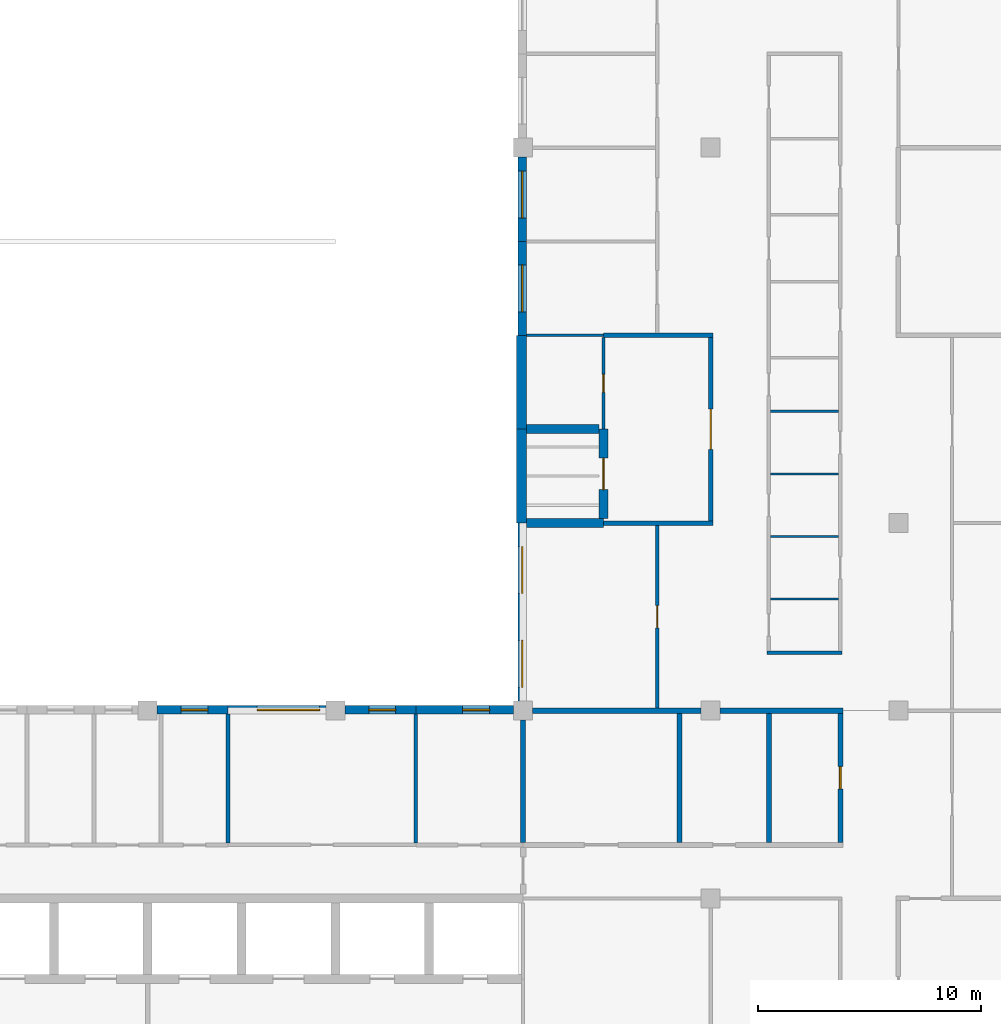
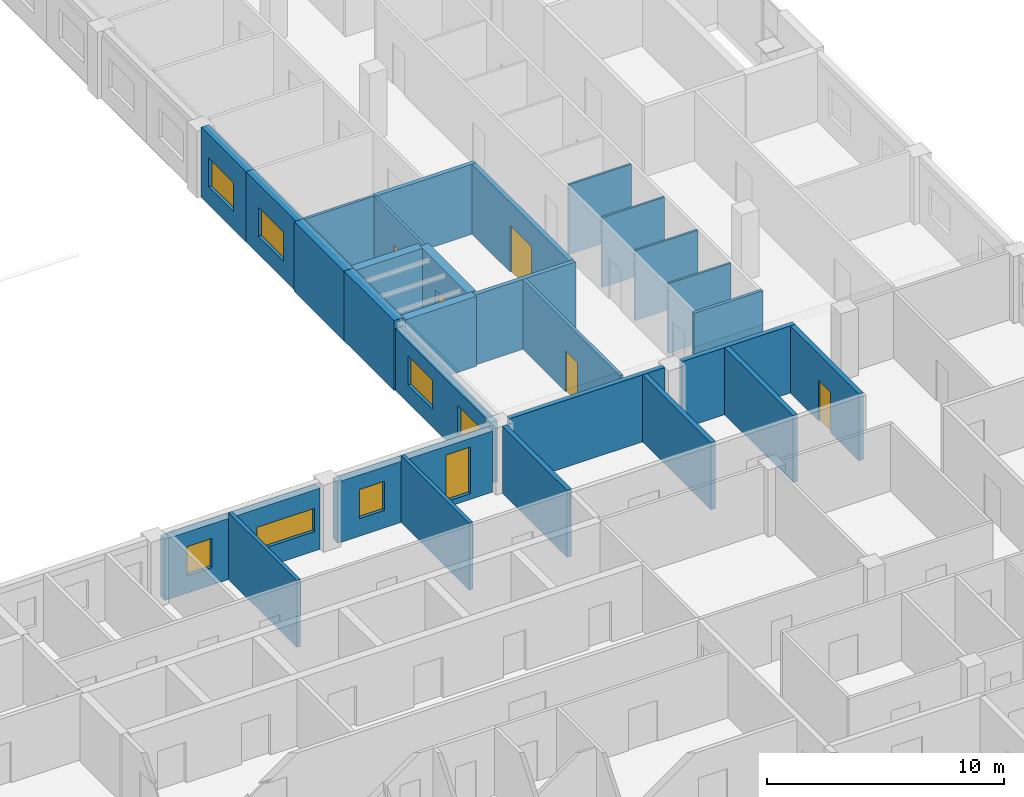
# One storey, part 73 of 94: 31 walls, 8 windows, 5 doors, 13 openings.
"""IFC4 building model written with IfcOpenShell, lengths in metres."""

from ifc_helpers import new_model, si_unit, direction, frame, frame_2d, origin, place, context, subcontext, project, spatial, rectangle, extrude, material, layer, layer_set, type_object, element, fill, save


model = new_model("IFC4")

# Units and contexts
model_context = context("Model", 3, precision=1e-05, world=origin(), true_north=direction((0.0, 1.0)))
body_context = subcontext(model_context, "Body", "Model", "MODEL_VIEW")
ifc_project = project(units=[si_unit("LENGTHUNIT", "METRE"), si_unit("AREAUNIT", "SQUARE_METRE"), si_unit("VOLUMEUNIT", "CUBIC_METRE"), si_unit("PLANEANGLEUNIT", "RADIAN"), si_unit("MASSUNIT", "GRAM", prefix="KILO")], contexts=[model_context])

# Site, building, storey
site_placement = place(None, origin())
site = spatial("IfcSite", under=ifc_project, at=site_placement, CompositionType="ELEMENT")
building_placement = place(site_placement, origin())
building = spatial("IfcBuilding", under=site, at=building_placement, Name="Yavir Park General Hospital", CompositionType="ELEMENT")
storey_placement = place(building_placement, frame((0.0, 0.0, 4.5)))
storey = spatial("IfcBuildingStorey", under=building, at=storey_placement, Name="L01", CompositionType="ELEMENT", Elevation=4.5)

# Walls
ifc_material_1 = material(Name="Double-leaf gypsum board acoustic partition on staggered studs")
ifc_layer_1 = layer(ifc_material_1, 0.175048828125)
ifc_layer_set_1 = layer_set([ifc_layer_1], Name="Double-leaf gypsum board acoustic partition on staggered studs")
wall_type_1 = type_object("IfcWallType", Name="Acoustic partition 175", PredefinedType="PARTITIONING", material=ifc_layer_set_1)
for number, where, z_axis, x_axis, name in (
    (1, (129.60009765625, 27.6875, 0.0), (0.0, 0.0, 1.0), (0.0, 1.0, 0.0), "AP175 L01-442"),
    (2, (138.0, 27.6875, 0.0), (0.0, 0.0, 1.0), (0.0, 1.0, 0.0), "AP175 L01-450"),
):
    element("IfcWall", number, at=place(storey_placement, frame(where, z_axis=z_axis, x_axis=x_axis)), inside=storey, type_object=wall_type_1, Name=name, PredefinedType="PARTITIONING", context=body_context, shape_type="SweptSolid", body=[
        extrude(rectangle(XDim=5.762451171875, YDim=0.175048828125, at=frame_2d((2.88134765625, 0.0))), origin(), (0.0, 0.0, 1.0), 3.449951171875),
    ])
ifc_material_2 = material(Name="Double gypsum board fire partition on steel studs", Category="steel")
ifc_layer_2 = layer(ifc_material_2, 0.199951171875)
ifc_layer_set_2 = layer_set([ifc_layer_2], Name="Double gypsum board fire partition on steel studs")
wall_type_2 = type_object("IfcWallType", Name="Fire-rated partition 200, EI 60", PredefinedType="PARTITIONING", material=ifc_layer_set_2)
for number, where, z_axis, x_axis, name in (
    (3, (146.39990234375, 42.0, 0.0), (0.0, 0.0, 1.0), (1.0, 0.0, 0.0), "FP20 L01-145"),
    (4, (146.39990234375, 50.39990234375, 0.0), (0.0, 0.0, 1.0), (1.0, 0.0, 0.0), "FP20 L01-159"),
):
    element("IfcWall", number, at=place(storey_placement, frame(where, z_axis=z_axis, x_axis=x_axis)), inside=storey, type_object=wall_type_2, Name=name, PredefinedType="PARTITIONING", context=body_context, shape_type="SweptSolid", body=[
        extrude(rectangle(XDim=4.900146484375, YDim=0.199951171875, at=frame_2d((2.4501953125, 0.0))), origin(), (0.0, 0.0, 1.0), 3.60009765625),
    ])

# Wall, opening, door
wall_1_placement = place(storey_placement, frame((151.199951171875, 42.10009765625, 0.0), z_axis=(0.0, 0.0, 1.0), x_axis=(0.0, 1.0, 0.0)))
wall_1 = element("IfcWall", 5, at=wall_1_placement, inside=storey, type_object=wall_type_2, Name="FP20 L01-473", PredefinedType="PARTITIONING", context=body_context, shape_type="SweptSolid", body=[
    extrude(rectangle(XDim=8.199951171875, YDim=0.199951171875, at=frame_2d((4.10009765625, 0.0))), origin(), (0.0, 0.0, 1.0), 3.60009765625),
])
opening_1_placement = place(wall_1_placement, frame((3.199951171875, 0.0, 0.0)))
opening_1 = element("IfcOpeningElement", 6, at=opening_1_placement, cuts=wall_1, Name="Opening L01.D263", PredefinedType="OPENING", context=body_context, shape_type="SweptSolid", body=[
    extrude(rectangle(XDim=1.800048828125, YDim=2.39990234375, at=frame_2d((0.89990234375, 1.199951171875))), frame((0.0, 0.10986328125, 0.0), z_axis=(0.0, -1.0, 0.0), x_axis=(1.0, 0.0, 0.0)), (0.0, 0.0, 1.0), 0.219970703125),
])
ifc_material_3 = material(Name="Steel frame, fire-resisting leaves with vision panels", Category="steel")
door_type_1 = type_object("IfcDoorType", Name="Double fire door with vision panels 1800 x 2400, EI 60", OperationType="DOUBLE_DOOR_SINGLE_SWING", PredefinedType="DOOR", material=ifc_material_3)
door_1_placement = place(opening_1_placement, origin())
door_1 = element("IfcDoor", 7, at=door_1_placement, inside=storey, type_object=door_type_1, Name="L01.D263", OperationType="SINGLE_SWING_LEFT", OverallHeight=2.39990234375, OverallWidth=1.800048828125, PredefinedType="DOOR", context=body_context, shape_type="SweptSolid", body=[
    extrude(rectangle(XDim=1.800048828125, YDim=2.39990234375, at=frame_2d((0.89990234375, 1.199951171875))), frame((0.0, 0.030029296875, 0.0), z_axis=(0.0, -1.0, 0.0), x_axis=(1.0, 0.0, 0.0)), (0.0, 0.0, 1.0), 0.06005859375),
])
fill(opening_1, door_1)

# Walls
ifc_material_4 = material(Name="Gypsum board partition on steel studs", Category="steel")
ifc_layer_3 = layer(ifc_material_4, 0.10009765625)
ifc_layer_set_3 = layer_set([ifc_layer_3], Name="Gypsum board partition on steel studs")
wall_type_3 = type_object("IfcWallType", Name="Gypsum board partition 100", PredefinedType="PARTITIONING", material=ifc_layer_set_3)
for number, where, z_axis, x_axis, name in (
    (8, (153.875, 38.60009765625, 0.0), (0.0, 0.0, 1.0), (1.0, 0.0, 0.0), "P10 L01-138"),
    (9, (153.875, 41.39990234375, 0.0), (0.0, 0.0, 1.0), (1.0, 0.0, 0.0), "P10 L01-140"),
    (10, (153.875, 44.199951171875, 0.0), (0.0, 0.0, 1.0), (1.0, 0.0, 0.0), "P10 L01-147"),
    (11, (153.875, 47.0, 0.0), (0.0, 0.0, 1.0), (1.0, 0.0, 0.0), "P10 L01-150"),
):
    element("IfcWall", number, at=place(storey_placement, frame(where, z_axis=z_axis, x_axis=x_axis)), inside=storey, type_object=wall_type_3, Name=name, PredefinedType="PARTITIONING", context=body_context, shape_type="SweptSolid", body=[
        extrude(rectangle(XDim=3.050048828125, YDim=0.10009765625, at=frame_2d((1.52490234375, 0.0))), origin(), (0.0, 0.0, 1.0), 3.60009765625),
    ])
ifc_material_5 = material(Name="Gypsum board partition on steel studs", Category="steel")
ifc_layer_4 = layer(ifc_material_5, 0.14990234375)
ifc_layer_set_4 = layer_set([ifc_layer_4], Name="Gypsum board partition on steel studs")
wall_type_4 = type_object("IfcWallType", Name="Gypsum board partition 150", PredefinedType="PARTITIONING", material=ifc_layer_set_4)
wall_2_placement = place(storey_placement, frame((153.72509765625, 36.199951171875, 0.0), z_axis=(0.0, 0.0, 1.0), x_axis=(1.0, 0.0, 0.0)))
element("IfcWall", 12, at=wall_2_placement, inside=storey, type_object=wall_type_4, Name="P15 L01-136", PredefinedType="PARTITIONING", context=body_context, shape_type="SweptSolid", body=[
    extrude(rectangle(XDim=3.349853515625, YDim=0.14990234375, at=frame_2d((1.6748046875, 0.0))), origin(), (0.0, 0.0, 1.0), 3.60009765625),
])

# Wall, opening, door
wall_3_placement = place(storey_placement, frame((148.800048828125, 33.71240234375, 0.0), z_axis=(0.0, 0.0, 1.0), x_axis=(0.0, 1.0, 0.0)))
wall_3 = element("IfcWall", 13, at=wall_3_placement, inside=storey, type_object=wall_type_4, Name="P15 L01-463", PredefinedType="PARTITIONING", context=body_context, shape_type="SweptSolid", body=[
    extrude(rectangle(XDim=8.1875, YDim=0.14990234375, at=frame_2d((4.09375, 0.0))), origin(), (0.0, 0.0, 1.0), 3.60009765625),
])
opening_2_placement = place(wall_3_placement, frame((3.59375, 0.0, 0.0)))
opening_2 = element("IfcOpeningElement", 14, at=opening_2_placement, cuts=wall_3, Name="Opening L01.D251", PredefinedType="OPENING", context=body_context, shape_type="SweptSolid", body=[
    extrude(rectangle(XDim=1.0, YDim=2.10009765625, at=frame_2d((0.5, 1.050048828125))), frame((0.0, 0.0849609375, 0.0), z_axis=(0.0, -1.0, 0.0), x_axis=(1.0, 0.0, 0.0)), (0.0, 0.0, 1.0), 0.169921875),
])
ifc_material_6 = material(Name="Hollow metal frame, solid-core timber leaf", Category="wood")
door_type_2 = type_object("IfcDoorType", Name="Single swing door 1000 x 2100", OperationType="SINGLE_SWING_LEFT", PredefinedType="DOOR", material=ifc_material_6)
door_2_placement = place(opening_2_placement, origin())
door_2 = element("IfcDoor", 15, at=door_2_placement, inside=storey, type_object=door_type_2, Name="L01.D251", OperationType="SINGLE_SWING_RIGHT", OverallHeight=2.10009765625, OverallWidth=1.0, PredefinedType="DOOR", context=body_context, shape_type="SweptSolid", body=[
    extrude(rectangle(XDim=1.0, YDim=2.10009765625, at=frame_2d((0.5, 1.050048828125))), frame((0.0, 0.02490234375, 0.0), z_axis=(0.0, -1.0, 0.0), x_axis=(1.0, 0.0, 0.0)), (0.0, 0.0, 1.0), 0.050048828125),
])
fill(opening_2, door_2)

# Walls
ifc_material_7 = material(Name="Dense aggregate block wall, lead-lined")
ifc_layer_5 = layer(ifc_material_7, 0.22509765625)
ifc_layer_set_5 = layer_set([ifc_layer_5], Name="Dense aggregate block wall, lead-lined")
wall_type_5 = type_object("IfcWallType", Name="Lead-lined dense block shielding wall 225, EI 60", PredefinedType="SOLIDWALL", material=ifc_layer_set_5)
wall_4_placement = place(storey_placement, frame((143.22509765625, 33.60009765625, 0.0), z_axis=(0.0, 0.0, 1.0), x_axis=(1.0, 0.0, 0.0)))
element("IfcWall", 16, at=wall_4_placement, inside=storey, type_object=wall_type_5, Name="LH225 L01-132", PredefinedType="SOLIDWALL", context=body_context, shape_type="SweptSolid", body=[
    extrude(rectangle(XDim=7.5498046875, YDim=0.22509765625, at=frame_2d((3.77490234375, 0.0))), origin(), (0.0, 0.0, 1.0), 3.449951171875),
])
wall_5_placement = place(storey_placement, frame((151.625, 33.60009765625, 0.0), z_axis=(0.0, 0.0, 1.0), x_axis=(1.0, 0.0, 0.0)))
element("IfcWall", 17, at=wall_5_placement, inside=storey, type_object=wall_type_5, Name="LH225 L01-133", PredefinedType="SOLIDWALL", context=body_context, shape_type="SweptSolid", body=[
    extrude(rectangle(XDim=5.487548828125, YDim=0.22509765625, at=frame_2d((2.74365234375, 0.0))), origin(), (0.0, 0.0, 1.0), 3.449951171875),
])
wall_6_placement = place(storey_placement, frame((142.800048828125, 27.71240234375, 0.0), z_axis=(0.0, 0.0, 1.0), x_axis=(0.0, 1.0, 0.0)))
element("IfcWall", 18, at=wall_6_placement, inside=storey, type_object=wall_type_5, Name="LH225 L01-458", PredefinedType="SOLIDWALL", context=body_context, shape_type="SweptSolid", body=[
    extrude(rectangle(XDim=5.462646484375, YDim=0.22509765625, at=frame_2d((2.7314453125, 0.0))), origin(), (0.0, 0.0, 1.0), 3.449951171875),
])
for number, where, z_axis, x_axis, name in (
    (19, (149.800048828125, 27.71240234375, 0.0), (0.0, 0.0, 1.0), (0.0, 1.0, 0.0), "LH225 L01-469"),
    (20, (153.800048828125, 27.71240234375, 0.0), (0.0, 0.0, 1.0), (0.0, 1.0, 0.0), "LH225 L01-478"),
):
    element("IfcWall", number, at=place(storey_placement, frame(where, z_axis=z_axis, x_axis=x_axis)), inside=storey, type_object=wall_type_5, Name=name, PredefinedType="SOLIDWALL", context=body_context, shape_type="SweptSolid", body=[
        extrude(rectangle(XDim=5.775146484375, YDim=0.22509765625, at=frame_2d((2.8876953125, 0.0))), origin(), (0.0, 0.0, 1.0), 3.449951171875),
    ])

# Wall, opening, door
wall_7_placement = place(storey_placement, frame((157.0, 27.71240234375, 0.0), z_axis=(0.0, 0.0, 1.0), x_axis=(0.0, 1.0, 0.0)))
wall_7 = element("IfcWall", 21, at=wall_7_placement, inside=storey, type_object=wall_type_5, Name="LH225 L01-487", PredefinedType="SOLIDWALL", context=body_context, shape_type="SweptSolid", body=[
    extrude(rectangle(XDim=5.775146484375, YDim=0.22509765625, at=frame_2d((2.8876953125, 0.0))), origin(), (0.0, 0.0, 1.0), 3.449951171875),
])
opening_3_placement = place(wall_7_placement, frame((2.387451171875, 0.0, 0.0)))
opening_3 = element("IfcOpeningElement", 22, at=opening_3_placement, cuts=wall_7, Name="Opening L01.D282", PredefinedType="OPENING", context=body_context, shape_type="SweptSolid", body=[
    extrude(rectangle(XDim=1.0, YDim=2.10009765625, at=frame_2d((0.5, 1.050048828125))), frame((0.0, 0.12255859375, 0.0), z_axis=(0.0, -1.0, 0.0), x_axis=(1.0, 0.0, 0.0)), (0.0, 0.0, 1.0), 0.2451171875),
])
ifc_material_8 = material(Name="Lead-lined steel door leaf, 2.5 mm lead", Category="steel")
door_type_3 = type_object("IfcDoorType", Name="Lead-lined door 1000 x 2100, EI 60", OperationType="SINGLE_SWING_LEFT", PredefinedType="DOOR", material=ifc_material_8)
door_3_placement = place(opening_3_placement, origin())
door_3 = element("IfcDoor", 23, at=door_3_placement, inside=storey, type_object=door_type_3, Name="L01.D282", OperationType="SINGLE_SWING_RIGHT", OverallHeight=2.10009765625, OverallWidth=1.0, PredefinedType="DOOR", context=body_context, shape_type="SweptSolid", body=[
    extrude(rectangle(XDim=1.0, YDim=2.10009765625, at=frame_2d((0.5, 1.050048828125))), frame((0.0, 0.0400390625, 0.0), z_axis=(0.0, -1.0, 0.0), x_axis=(1.0, 0.0, 0.0)), (0.0, 0.0, 1.0), 0.080078125),
])
fill(opening_3, door_3)

# Wall, opening, window
ifc_material_9 = material(Name="Autoclaved aerated block, 150 mm mineral wool and sand-coloured mineral render")
ifc_layer_6 = layer(ifc_material_9, 0.375)
ifc_layer_set_6 = layer_set([ifc_layer_6], Name="Autoclaved aerated block, 150 mm mineral wool and sand-coloured mineral render")
wall_type_6 = type_object("IfcWallType", Name="Mineral render clinical wall 375, E 30", PredefinedType="SOLIDWALL", material=ifc_layer_set_6)
wall_8_placement = place(storey_placement, frame((126.425048828125, 33.637451171875, 0.0), z_axis=(0.0, 0.0, 1.0), x_axis=(1.0, 0.0, 0.0)))
wall_8 = element("IfcWall", 24, at=wall_8_placement, inside=storey, type_object=wall_type_6, Name="XW1 L01-085", PredefinedType="SOLIDWALL", context=body_context, shape_type="SweptSolid", body=[
    extrude(rectangle(XDim=3.175048828125, YDim=0.375, at=frame_2d((1.58740234375, 0.0))), origin(), (0.0, 0.0, 1.0), 3.14990234375),
])
opening_4_placement = place(wall_8_placement, frame((1.074951171875, 0.0, 0.89990234375)))
opening_4 = element("IfcOpeningElement", 25, at=opening_4_placement, cuts=wall_8, Name="Opening WD", PredefinedType="OPENING", context=body_context, shape_type="SweptSolid", body=[
    extrude(rectangle(XDim=1.199951171875, YDim=1.5, at=frame_2d((0.60009765625, 0.75))), frame((0.0, 0.197509765625, 0.0), z_axis=(0.0, -1.0, 0.0), x_axis=(1.0, 0.0, 0.0)), (0.0, 0.0, 1.0), 0.39501953125),
])
ifc_material_10 = material(Name="Aluminium frame, double glazed unit", Category="aluminium")
window_type_1 = type_object("IfcWindowType", Name="Office window 1200 x 1500", PartitioningType="SINGLE_PANEL", PredefinedType="WINDOW", material=ifc_material_10)
window_1_placement = place(opening_4_placement, origin())
window_1 = element("IfcWindow", 26, at=window_1_placement, inside=storey, type_object=window_type_1, Name="WD L01-051", OverallHeight=1.5, OverallWidth=1.199951171875, PartitioningType="SINGLE_PANEL", PredefinedType="WINDOW", context=body_context, shape_type="SweptSolid", body=[
    extrude(rectangle(XDim=1.199951171875, YDim=1.5, at=frame_2d((0.60009765625, 0.75))), frame((0.0, 0.030029296875, 0.0), z_axis=(0.0, -1.0, 0.0), x_axis=(1.0, 0.0, 0.0)), (0.0, 0.0, 1.0), 0.06005859375),
])
fill(opening_4, window_1)

wall_9_placement = place(storey_placement, frame((129.60009765625, 33.637451171875, 0.0), z_axis=(0.0, 0.0, 1.0), x_axis=(1.0, 0.0, 0.0)))
wall_9 = element("IfcWall", 27, at=wall_9_placement, inside=storey, type_object=wall_type_6, Name="XW1 L01-086", PredefinedType="SOLIDWALL", context=body_context, shape_type="SweptSolid", body=[
    extrude(rectangle(XDim=4.375, YDim=0.375, at=frame_2d((2.1875, 0.0))), origin(), (0.0, 0.0, 1.0), 3.14990234375),
])
opening_5_placement = place(wall_9_placement, frame((1.300048828125, 0.0, 1.0)))
opening_5 = element("IfcOpeningElement", 28, at=opening_5_placement, cuts=wall_9, Name="Opening WRB", PredefinedType="OPENING", context=body_context, shape_type="SweptSolid", body=[
    extrude(rectangle(XDim=2.800048828125, YDim=1.199951171875, at=frame_2d((1.39990234375, 0.60009765625))), frame((0.0, 0.197509765625, 0.0), z_axis=(0.0, -1.0, 0.0), x_axis=(1.0, 0.0, 0.0)), (0.0, 0.0, 1.0), 0.39501953125),
])
ifc_material_11 = material(Name="Aluminium frame, double glazed unit", Category="aluminium")
window_type_2 = type_object("IfcWindowType", Name="Ribbon window 2800 x 1200", PartitioningType="DOUBLE_PANEL_VERTICAL", PredefinedType="WINDOW", material=ifc_material_11)
window_2_placement = place(opening_5_placement, origin())
window_2 = element("IfcWindow", 29, at=window_2_placement, inside=storey, type_object=window_type_2, Name="WRB L01-052", OverallHeight=1.199951171875, OverallWidth=2.800048828125, PartitioningType="DOUBLE_PANEL_VERTICAL", PredefinedType="WINDOW", context=body_context, shape_type="SweptSolid", body=[
    extrude(rectangle(XDim=2.800048828125, YDim=1.199951171875, at=frame_2d((1.39990234375, 0.60009765625))), frame((0.0, 0.030029296875, 0.0), z_axis=(0.0, -1.0, 0.0), x_axis=(1.0, 0.0, 0.0)), (0.0, 0.0, 1.0), 0.06005859375),
])
fill(opening_5, window_2)

wall_10_placement = place(storey_placement, frame((134.824951171875, 33.637451171875, 0.0), z_axis=(0.0, 0.0, 1.0), x_axis=(1.0, 0.0, 0.0)))
wall_10 = element("IfcWall", 30, at=wall_10_placement, inside=storey, type_object=wall_type_6, Name="XW1 L01-087", PredefinedType="SOLIDWALL", context=body_context, shape_type="SweptSolid", body=[
    extrude(rectangle(XDim=3.175048828125, YDim=0.375, at=frame_2d((1.58740234375, 0.0))), origin(), (0.0, 0.0, 1.0), 3.14990234375),
])
opening_6_placement = place(wall_10_placement, frame((1.074951171875, 0.0, 0.89990234375)))
opening_6 = element("IfcOpeningElement", 31, at=opening_6_placement, cuts=wall_10, Name="Opening WD", PredefinedType="OPENING", context=body_context, shape_type="SweptSolid", body=[
    extrude(rectangle(XDim=1.199951171875, YDim=1.5, at=frame_2d((0.60009765625, 0.75))), frame((0.0, 0.197509765625, 0.0), z_axis=(0.0, -1.0, 0.0), x_axis=(1.0, 0.0, 0.0)), (0.0, 0.0, 1.0), 0.39501953125),
])
window_3_placement = place(opening_6_placement, origin())
window_3 = element("IfcWindow", 32, at=window_3_placement, inside=storey, type_object=window_type_1, Name="WD L01-053", OverallHeight=1.5, OverallWidth=1.199951171875, PartitioningType="SINGLE_PANEL", PredefinedType="WINDOW", context=body_context, shape_type="SweptSolid", body=[
    extrude(rectangle(XDim=1.199951171875, YDim=1.5, at=frame_2d((0.60009765625, 0.75))), frame((0.0, 0.030029296875, 0.0), z_axis=(0.0, -1.0, 0.0), x_axis=(1.0, 0.0, 0.0)), (0.0, 0.0, 1.0), 0.06005859375),
])
fill(opening_6, window_3)

wall_11_placement = place(storey_placement, frame((138.0, 33.637451171875, 0.0), z_axis=(0.0, 0.0, 1.0), x_axis=(1.0, 0.0, 0.0)))
wall_11 = element("IfcWall", 33, at=wall_11_placement, inside=storey, type_object=wall_type_6, Name="XW1 L01-088", PredefinedType="SOLIDWALL", context=body_context, shape_type="SweptSolid", body=[
    extrude(rectangle(XDim=4.375, YDim=0.375, at=frame_2d((2.1875, 0.0))), origin(), (0.0, 0.0, 1.0), 3.14990234375),
])
opening_7_placement = place(wall_11_placement, frame((2.10009765625, 0.0, 0.300048828125)))
opening_7 = element("IfcOpeningElement", 34, at=opening_7_placement, cuts=wall_11, Name="Opening WT", PredefinedType="OPENING", context=body_context, shape_type="SweptSolid", body=[
    extrude(rectangle(XDim=1.199951171875, YDim=2.39990234375, at=frame_2d((0.60009765625, 1.199951171875))), frame((0.0, 0.197509765625, 0.0), z_axis=(0.0, -1.0, 0.0), x_axis=(1.0, 0.0, 0.0)), (0.0, 0.0, 1.0), 0.39501953125),
])
ifc_material_12 = material(Name="Aluminium frame, double glazed unit", Category="aluminium")
window_type_3 = type_object("IfcWindowType", Name="Chapel window 1200 x 2400", PartitioningType="SINGLE_PANEL", PredefinedType="WINDOW", material=ifc_material_12)
window_4_placement = place(opening_7_placement, origin())
window_4 = element("IfcWindow", 35, at=window_4_placement, inside=storey, type_object=window_type_3, Name="WT L01-054", OverallHeight=2.39990234375, OverallWidth=1.199951171875, PartitioningType="SINGLE_PANEL", PredefinedType="WINDOW", context=body_context, shape_type="SweptSolid", body=[
    extrude(rectangle(XDim=1.199951171875, YDim=2.39990234375, at=frame_2d((0.60009765625, 1.199951171875))), frame((0.0, 0.030029296875, 0.0), z_axis=(0.0, -1.0, 0.0), x_axis=(1.0, 0.0, 0.0)), (0.0, 0.0, 1.0), 0.06005859375),
])
fill(opening_7, window_4)

# Wall, openings, windows
wall_12_placement = place(storey_placement, frame((142.762451171875, 34.02490234375, 0.0), z_axis=(0.0, 0.0, 1.0), x_axis=(0.0, 1.0, 0.0)))
wall_12 = element("IfcWall", 36, at=wall_12_placement, inside=storey, type_object=wall_type_6, Name="XW1 L01-193", PredefinedType="SOLIDWALL", context=body_context, shape_type="SweptSolid", body=[
    extrude(rectangle(XDim=7.97509765625, YDim=0.375, at=frame_2d((3.987548828125, 0.0))), origin(), (0.0, 0.0, 1.0), 3.14990234375),
])
opening_8_placement = place(wall_12_placement, frame((0.625, 0.0, 0.89990234375)))
opening_8 = element("IfcOpeningElement", 37, at=opening_8_placement, cuts=wall_12, Name="Opening WA", PredefinedType="OPENING", context=body_context, shape_type="SweptSolid", body=[
    extrude(rectangle(XDim=2.10009765625, YDim=1.5, at=frame_2d((1.050048828125, 0.75))), frame((0.0, 0.197509765625, 0.0), z_axis=(0.0, -1.0, 0.0), x_axis=(1.0, 0.0, 0.0)), (0.0, 0.0, 1.0), 0.39501953125),
])
opening_9_placement = place(wall_12_placement, frame((4.824951171875, 0.0, 0.89990234375)))
opening_9 = element("IfcOpeningElement", 38, at=opening_9_placement, cuts=wall_12, Name="Opening WA", PredefinedType="OPENING", context=body_context, shape_type="SweptSolid", body=[
    extrude(rectangle(XDim=2.10009765625, YDim=1.5, at=frame_2d((1.050048828125, 0.75))), frame((0.0, 0.197509765625, 0.0), z_axis=(0.0, -1.0, 0.0), x_axis=(1.0, 0.0, 0.0)), (0.0, 0.0, 1.0), 0.39501953125),
])
ifc_material_13 = material(Name="Aluminium frame, double glazed unit", Category="aluminium")
window_type_4 = type_object("IfcWindowType", Name="Ward window 2100 x 1500", PartitioningType="DOUBLE_PANEL_VERTICAL", PredefinedType="WINDOW", material=ifc_material_13)
window_5_placement = place(opening_8_placement, origin())
window_5 = element("IfcWindow", 39, at=window_5_placement, inside=storey, type_object=window_type_4, Name="WA L01-103", OverallHeight=1.5, OverallWidth=2.10009765625, PartitioningType="DOUBLE_PANEL_VERTICAL", PredefinedType="WINDOW", context=body_context, shape_type="SweptSolid", body=[
    extrude(rectangle(XDim=2.10009765625, YDim=1.5, at=frame_2d((1.050048828125, 0.75))), frame((0.0, 0.030029296875, 0.0), z_axis=(0.0, -1.0, 0.0), x_axis=(1.0, 0.0, 0.0)), (0.0, 0.0, 1.0), 0.06005859375),
])
fill(opening_8, window_5)
window_6_placement = place(opening_9_placement, origin())
window_6 = element("IfcWindow", 40, at=window_6_placement, inside=storey, type_object=window_type_4, Name="WA L01-104", OverallHeight=1.5, OverallWidth=2.10009765625, PartitioningType="DOUBLE_PANEL_VERTICAL", PredefinedType="WINDOW", context=body_context, shape_type="SweptSolid", body=[
    extrude(rectangle(XDim=2.10009765625, YDim=1.5, at=frame_2d((1.050048828125, 0.75))), frame((0.0, 0.030029296875, 0.0), z_axis=(0.0, -1.0, 0.0), x_axis=(1.0, 0.0, 0.0)), (0.0, 0.0, 1.0), 0.06005859375),
])
fill(opening_9, window_6)

# Wall, opening, window
wall_13_placement = place(storey_placement, frame((142.762451171875, 50.39990234375, 0.0), z_axis=(0.0, 0.0, 1.0), x_axis=(0.0, 1.0, 0.0)))
wall_13 = element("IfcWall", 41, at=wall_13_placement, inside=storey, type_object=wall_type_6, Name="XW1 L01-196", PredefinedType="SOLIDWALL", context=body_context, shape_type="SweptSolid", body=[
    extrude(rectangle(XDim=4.2001953125, YDim=0.375, at=frame_2d((2.10009765625, 0.0))), origin(), (0.0, 0.0, 1.0), 3.60009765625),
])
opening_10_placement = place(wall_13_placement, frame((1.050048828125, 0.0, 0.89990234375)))
opening_10 = element("IfcOpeningElement", 42, at=opening_10_placement, cuts=wall_13, Name="Opening WA", PredefinedType="OPENING", context=body_context, shape_type="SweptSolid", body=[
    extrude(rectangle(XDim=2.10009765625, YDim=1.5, at=frame_2d((1.050048828125, 0.75))), frame((0.0, 0.197509765625, 0.0), z_axis=(0.0, -1.0, 0.0), x_axis=(1.0, 0.0, 0.0)), (0.0, 0.0, 1.0), 0.39501953125),
])
window_7_placement = place(opening_10_placement, origin())
window_7 = element("IfcWindow", 43, at=window_7_placement, inside=storey, type_object=window_type_4, Name="WA L01-105", OverallHeight=1.5, OverallWidth=2.10009765625, PartitioningType="DOUBLE_PANEL_VERTICAL", PredefinedType="WINDOW", context=body_context, shape_type="SweptSolid", body=[
    extrude(rectangle(XDim=2.10009765625, YDim=1.5, at=frame_2d((1.050048828125, 0.75))), frame((0.0, 0.030029296875, 0.0), z_axis=(0.0, -1.0, 0.0), x_axis=(1.0, 0.0, 0.0)), (0.0, 0.0, 1.0), 0.06005859375),
])
fill(opening_10, window_7)

wall_14_placement = place(storey_placement, frame((142.762451171875, 54.60009765625, 0.0), z_axis=(0.0, 0.0, 1.0), x_axis=(0.0, 1.0, 0.0)))
wall_14 = element("IfcWall", 44, at=wall_14_placement, inside=storey, type_object=wall_type_6, Name="XW1 L01-197", PredefinedType="SOLIDWALL", context=body_context, shape_type="SweptSolid", body=[
    extrude(rectangle(XDim=3.77490234375, YDim=0.375, at=frame_2d((1.887451171875, 0.0))), origin(), (0.0, 0.0, 1.0), 3.60009765625),
])
opening_11_placement = place(wall_14_placement, frame((1.050048828125, 0.0, 0.89990234375)))
opening_11 = element("IfcOpeningElement", 45, at=opening_11_placement, cuts=wall_14, Name="Opening WA", PredefinedType="OPENING", context=body_context, shape_type="SweptSolid", body=[
    extrude(rectangle(XDim=2.10009765625, YDim=1.5, at=frame_2d((1.050048828125, 0.75))), frame((0.0, 0.197509765625, 0.0), z_axis=(0.0, -1.0, 0.0), x_axis=(1.0, 0.0, 0.0)), (0.0, 0.0, 1.0), 0.39501953125),
])
window_8_placement = place(opening_11_placement, origin())
window_8 = element("IfcWindow", 46, at=window_8_placement, inside=storey, type_object=window_type_4, Name="WA L01-106", OverallHeight=1.5, OverallWidth=2.10009765625, PartitioningType="DOUBLE_PANEL_VERTICAL", PredefinedType="WINDOW", context=body_context, shape_type="SweptSolid", body=[
    extrude(rectangle(XDim=2.10009765625, YDim=1.5, at=frame_2d((1.050048828125, 0.75))), frame((0.0, 0.030029296875, 0.0), z_axis=(0.0, -1.0, 0.0), x_axis=(1.0, 0.0, 0.0)), (0.0, 0.0, 1.0), 0.06005859375),
])
fill(opening_11, window_8)

# Walls
ifc_material_14 = material(Name="Concrete C35/45", Category="concrete")
ifc_layer_7 = layer(ifc_material_14, 0.39990234375)
ifc_layer_set_7 = layer_set([ifc_layer_7], Name="Concrete C35/45")
wall_type_7 = type_object("IfcWallType", Name="Reinforced concrete core wall 400, REI 150", PredefinedType="SHEAR", material=ifc_layer_set_7)
wall_15_placement = place(storey_placement, frame((142.949951171875, 42.0, 0.0), z_axis=(0.0, 0.0, 1.0), x_axis=(1.0, 0.0, 0.0)))
element("IfcWall", 47, at=wall_15_placement, inside=storey, type_object=wall_type_7, Name="CW40 L01-144", PredefinedType="SHEAR", context=body_context, shape_type="SweptSolid", body=[
    extrude(rectangle(XDim=3.449951171875, YDim=0.39990234375, at=frame_2d((1.72509765625, 0.0))), origin(), (0.0, 0.0, 1.0), 3.60009765625),
])
wall_16_placement = place(storey_placement, frame((142.949951171875, 46.199951171875, 0.0), z_axis=(0.0, 0.0, 1.0), x_axis=(1.0, 0.0, 0.0)))
element("IfcWall", 48, at=wall_16_placement, inside=storey, type_object=wall_type_7, Name="CW40 L01-149", PredefinedType="SHEAR", context=body_context, shape_type="SweptSolid", body=[
    extrude(rectangle(XDim=3.25, YDim=0.39990234375, at=frame_2d((1.625, 0.0))), origin(), (0.0, 0.0, 1.0), 3.60009765625),
])

# Wall, opening, door
wall_17_placement = place(storey_placement, frame((146.39990234375, 42.199951171875, 0.0), z_axis=(0.0, 0.0, 1.0), x_axis=(0.0, 1.0, 0.0)))
wall_17 = element("IfcWall", 49, at=wall_17_placement, inside=storey, type_object=wall_type_7, Name="CW40 L01-460", PredefinedType="SHEAR", context=body_context, shape_type="SweptSolid", body=[
    extrude(rectangle(XDim=4.0, YDim=0.39990234375, at=frame_2d((2.0, 0.0))), origin(), (0.0, 0.0, 1.0), 3.60009765625),
])
opening_12_placement = place(wall_17_placement, frame((1.300048828125, 0.0, 0.0)))
opening_12 = element("IfcOpeningElement", 50, at=opening_12_placement, cuts=wall_17, Name="Opening L01.D247", PredefinedType="OPENING", context=body_context, shape_type="SweptSolid", body=[
    extrude(rectangle(XDim=1.39990234375, YDim=2.10009765625, at=frame_2d((0.699951171875, 1.050048828125))), frame((0.0, 0.2099609375, 0.0), z_axis=(0.0, -1.0, 0.0), x_axis=(1.0, 0.0, 0.0)), (0.0, 0.0, 1.0), 0.419921875),
])
ifc_material_15 = material(Name="Stainless steel landing door panels", Category="steel")
door_type_4 = type_object("IfcDoorType", Name="Lift landing door 1400 x 2100, EI 60", OperationType="SLIDING_TO_LEFT", PredefinedType="DOOR", material=ifc_material_15)
door_4_placement = place(opening_12_placement, origin())
door_4 = element("IfcDoor", 51, at=door_4_placement, inside=storey, type_object=door_type_4, Name="L01.D247", OperationType="SLIDING_TO_LEFT", OverallHeight=2.10009765625, OverallWidth=1.39990234375, PredefinedType="DOOR", context=body_context, shape_type="SweptSolid", body=[
    extrude(rectangle(XDim=1.39990234375, YDim=2.10009765625, at=frame_2d((0.699951171875, 1.050048828125))), frame((0.0, 0.02490234375, 0.0), z_axis=(0.0, -1.0, 0.0), x_axis=(1.0, 0.0, 0.0)), (0.0, 0.0, 1.0), 0.050048828125),
])
fill(opening_12, door_4)

# Wall
ifc_material_16 = material(Name="Gypsum shaft wall system on steel studs", Category="steel")
ifc_layer_8 = layer(ifc_material_16, 0.125)
ifc_layer_set_8 = layer_set([ifc_layer_8], Name="Gypsum shaft wall system on steel studs")
wall_type_8 = type_object("IfcWallType", Name="Shaft wall 125, EI 90", PredefinedType="SOLIDWALL", material=ifc_layer_set_8)
wall_18_placement = place(storey_placement, frame((142.949951171875, 50.39990234375, 0.0), z_axis=(0.0, 0.0, 1.0), x_axis=(1.0, 0.0, 0.0)))
element("IfcWall", 52, at=wall_18_placement, inside=storey, type_object=wall_type_8, Name="SW125 L01-158", PredefinedType="SOLIDWALL", context=body_context, shape_type="SweptSolid", body=[
    extrude(rectangle(XDim=3.449951171875, YDim=0.125, at=frame_2d((1.72509765625, 0.0))), origin(), (0.0, 0.0, 1.0), 3.60009765625),
])

# Wall, opening, door
wall_19_placement = place(storey_placement, frame((146.39990234375, 46.199951171875, 0.0), z_axis=(0.0, 0.0, 1.0), x_axis=(0.0, 1.0, 0.0)))
wall_19 = element("IfcWall", 53, at=wall_19_placement, inside=storey, type_object=wall_type_8, Name="SW125 L01-461", PredefinedType="SOLIDWALL", context=body_context, shape_type="SweptSolid", body=[
    extrude(rectangle(XDim=4.10009765625, YDim=0.125, at=frame_2d((2.050048828125, 0.0))), origin(), (0.0, 0.0, 1.0), 3.60009765625),
])
opening_13_placement = place(wall_19_placement, frame((1.64990234375, 0.0, 0.0)))
opening_13 = element("IfcOpeningElement", 54, at=opening_13_placement, cuts=wall_19, Name="Opening L01.D248", PredefinedType="OPENING", context=body_context, shape_type="SweptSolid", body=[
    extrude(rectangle(XDim=0.800048828125, YDim=2.10009765625, at=frame_2d((0.39990234375, 1.050048828125))), frame((0.0, 0.072509765625, 0.0), z_axis=(0.0, -1.0, 0.0), x_axis=(1.0, 0.0, 0.0)), (0.0, 0.0, 1.0), 0.14501953125),
])
ifc_material_17 = material(Name="Steel frame, fire-resisting access leaf", Category="steel")
door_type_5 = type_object("IfcDoorType", Name="Fire-resisting riser access door 800 x 2100, EI 90", OperationType="SINGLE_SWING_LEFT", PredefinedType="DOOR", material=ifc_material_17)
door_5_placement = place(opening_13_placement, origin())
door_5 = element("IfcDoor", 55, at=door_5_placement, inside=storey, type_object=door_type_5, Name="L01.D248", OperationType="SINGLE_SWING_LEFT", OverallHeight=2.10009765625, OverallWidth=0.800048828125, PredefinedType="DOOR", context=body_context, shape_type="SweptSolid", body=[
    extrude(rectangle(XDim=0.800048828125, YDim=2.10009765625, at=frame_2d((0.39990234375, 1.050048828125))), frame((0.0, 0.030029296875, 0.0), z_axis=(0.0, -1.0, 0.0), x_axis=(1.0, 0.0, 0.0)), (0.0, 0.0, 1.0), 0.06005859375),
])
fill(opening_13, door_5)

# Walls
ifc_material_18 = material(Name="Concrete C30/37 precast panel with 150 mm mineral wool insulation", Category="concrete")
ifc_layer_9 = layer(ifc_material_18, 0.449951171875)
ifc_layer_set_9 = layer_set([ifc_layer_9], Name="Concrete C30/37 precast panel with 150 mm mineral wool insulation")
wall_type_9 = type_object("IfcWallType", Name="Stair enclosure wall 450, REI 150", PredefinedType="SOLIDWALL", material=ifc_layer_set_9)
for number, where, z_axis, x_axis, name in (
    (56, (142.72509765625, 42.0, 0.0), (0.0, 0.0, 1.0), (0.0, 1.0, 0.0), "XW6 L01-194"),
    (57, (142.72509765625, 46.199951171875, 0.0), (0.0, 0.0, 1.0), (0.0, 1.0, 0.0), "XW6 L01-195"),
):
    element("IfcWall", number, at=place(storey_placement, frame(where, z_axis=z_axis, x_axis=x_axis)), inside=storey, type_object=wall_type_9, Name=name, PredefinedType="SOLIDWALL", context=body_context, shape_type="SweptSolid", body=[
        extrude(rectangle(XDim=4.199951171875, YDim=0.449951171875, at=frame_2d((2.10009765625, 0.0))), origin(), (0.0, 0.0, 1.0), 3.60009765625),
    ])

save(model, "model.ifc")
